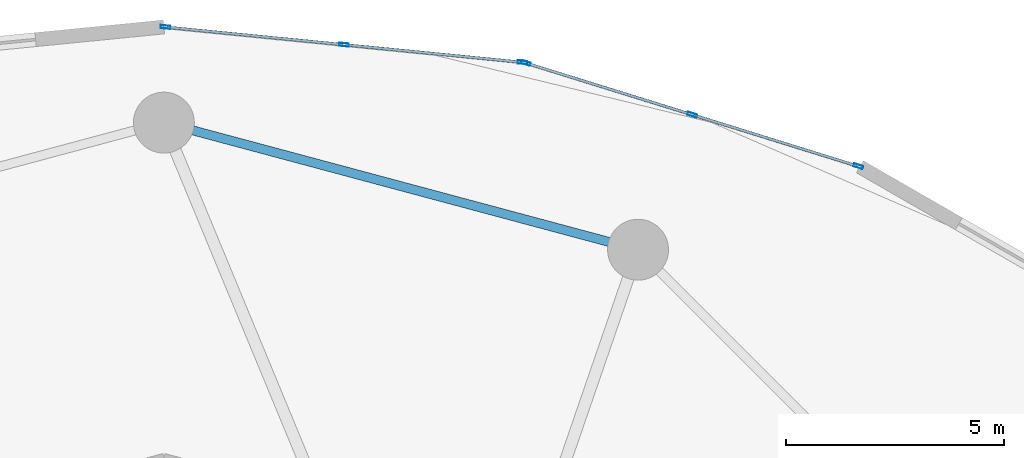
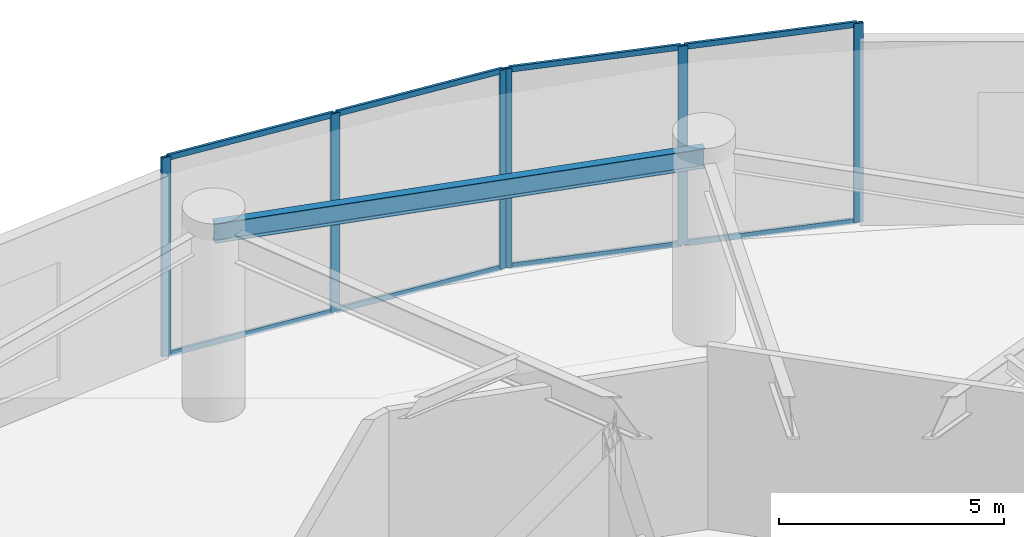
# One storey, part 18 of 29: 14 members, 1 beam, 2 elements without a shape of their own.
"""IFC4 building model written with IfcOpenShell, lengths in metres."""

from ifc_helpers import new_model, si_unit, direction, frame, origin, origin_2d, place, context, subcontext, project, spatial, hollow_rectangle, i_section, extrude, source, transform, mapped, material, layer, layer_set, material_profile, profile_set, type_object, element, aggregate, save


model = new_model("IFC4")

# Units and contexts
model_context = context("Model", 3, precision=1e-05, world=origin(), true_north=direction((0.0, 1.0)))
body_context = subcontext(model_context, "Body", "Model", "MODEL_VIEW")
ifc_project = project(units=[si_unit("LENGTHUNIT", "METRE"), si_unit("AREAUNIT", "SQUARE_METRE"), si_unit("VOLUMEUNIT", "CUBIC_METRE"), si_unit("PLANEANGLEUNIT", "RADIAN"), si_unit("MASSUNIT", "GRAM", prefix="KILO")], contexts=[model_context])

# Site, building, storey
site_placement = place(None, origin())
site = spatial("IfcSite", under=ifc_project, at=site_placement, CompositionType="ELEMENT")
building_placement = place(site_placement, origin())
building = spatial("IfcBuilding", under=site, at=building_placement, Name="Solvirekh Grand Hotel", CompositionType="ELEMENT")
storey_placement = place(building_placement, frame((0.0, 0.0, 7.199951171875)))
storey = spatial("IfcBuildingStorey", under=building, at=storey_placement, Name="L01", CompositionType="ELEMENT", Elevation=7.199951171875)

# Beam
ifc_material_1 = material(Name="Steel S355", Category="steel")
ifc_material_profile_1 = material_profile(ifc_material_1, i_section(OverallWidth=0.208984375, OverallDepth=0.532958984375, WebThickness=0.010009765625, FlangeThickness=0.014892578125, FilletRadius=0.013916015625, at=origin_2d()), Name="W530X92")
ifc_profile_set_1 = profile_set([ifc_material_profile_1], Name="Steel S355")
beam_type = type_object("IfcBeamType", Name="Spandrel_Ring_W530", PredefinedType="SPANDREL", material=ifc_profile_set_1)
beam_placement = place(storey_placement, frame((10.89990234375, 18.87890625, 4.713134765625), z_axis=(-0.965914248703, 0.258862249378, 0.0), x_axis=(-0.258862249378, -0.965914248703, 0.0)))
element("IfcBeam", 1, at=beam_placement, inside=storey, type_object=beam_type, Name="L01 perimeter spandrel beam 3", PredefinedType="SPANDREL", context=body_context, shape_type="SweptSolid", body=[
    extrude(i_section(OverallWidth=0.208984375, OverallDepth=0.532958984375, WebThickness=0.010009765625, FlangeThickness=0.014892578125, FilletRadius=0.013916015625, at=origin_2d()), origin(), (0.0, 0.0, 1.0), 11.284423828125),
])

# Curtain wall, members
ifc_material_2 = material(Name="Anodized Bronze Aluminium 6063-T6", Category="aluminium")
ifc_layer = layer(ifc_material_2, 0.219970703125)
ifc_layer_set = layer_set([ifc_layer], Name="Anodized Bronze Aluminium 6063-T6")
curtain_wall_type = type_object("IfcCurtainWallType", Name="CW_Sys1_PodiumBronzeUnitised", PredefinedType="NOTDEFINED", material=ifc_layer_set)
curtain_wall_1_placement = place(storey_placement, origin())
curtain_wall_1 = element("IfcCurtainWall", 2, at=curtain_wall_1_placement, inside=storey, type_object=curtain_wall_type, Name="L01 unitised bronze-glass curtain wall CW-L01-C05", PredefinedType="NOTDEFINED")
ifc_material_profile_2 = material_profile(ifc_material_2, hollow_rectangle(XDim=0.074951171875, YDim=0.219970703125, WallThickness=0.006103515625, at=origin_2d()), Name="ALU RHS 220X75X6")
ifc_profile_set_2 = profile_set([ifc_material_profile_2], Name="Anodized Bronze Aluminium 6063-T6")
member_type_1 = type_object("IfcMemberType", Name="CWMullion_Sys1", PredefinedType="MULLION", material=ifc_profile_set_2)
shared_shape_1 = source(origin(), body_context, "Body", "SweptSolid", [
    extrude(hollow_rectangle(XDim=0.074951171875, YDim=0.219970703125, WallThickness=0.006103515625, at=origin_2d()), origin(), (0.0, 0.0, 1.0), 5.400146484375),
])
member_1_placement = place(storey_placement, frame((15.964111328125, 20.796142578125, 0.0), z_axis=(0.0, 0.0, 1.0), x_axis=(-0.296597697719, -0.955002516074, 0.0)))
member_1 = element("IfcMember", 3, at=member_1_placement, type_object=member_type_1, Name="U01 mullion 1", PredefinedType="MULLION", context=body_context, shape_type="MappedRepresentation", body=[
    mapped(shared_shape_1, transform((0.0, 0.0, 0.0), x_axis=(1.0, 0.0, 0.0), y_axis=(0.0, 1.0, 0.0), z_axis=(0.0, 0.0, 1.0), scale=1.0)),
])
member_2_placement = place(storey_placement, frame((12.14111328125, 21.9833984375, 0.0), z_axis=(0.0, 0.0, 1.0), x_axis=(-0.296597697719, -0.955002516074, 0.0)))
member_2 = element("IfcMember", 4, at=member_2_placement, type_object=member_type_1, Name="U01 mullion 2", PredefinedType="MULLION", context=body_context, shape_type="MappedRepresentation", body=[
    mapped(shared_shape_1, transform((0.0, 0.0, 0.0), x_axis=(1.0, 0.0, 0.0), y_axis=(0.0, 1.0, 0.0), z_axis=(0.0, 0.0, 1.0), scale=1.0)),
])
member_3_placement = place(storey_placement, frame((8.31787109375, 23.1708984375, 0.0), z_axis=(0.0, 0.0, 1.0), x_axis=(-0.296597697719, -0.955002516074, 0.0)))
member_3 = element("IfcMember", 5, at=member_3_placement, type_object=member_type_1, Name="U01 mullion 3", PredefinedType="MULLION", context=body_context, shape_type="MappedRepresentation", body=[
    mapped(shared_shape_1, transform((0.0, 0.0, 0.0), x_axis=(1.0, 0.0, 0.0), y_axis=(0.0, 1.0, 0.0), z_axis=(0.0, 0.0, 1.0), scale=1.0)),
])

curtain_wall_2_placement = place(storey_placement, origin())
curtain_wall_2 = element("IfcCurtainWall", 6, at=curtain_wall_2_placement, inside=storey, type_object=curtain_wall_type, Name="L01 unitised bronze-glass curtain wall CW-L01-C06", PredefinedType="NOTDEFINED")
member_4_placement = place(storey_placement, frame((8.24462890625, 23.185791015625, 0.0), z_axis=(0.0, 0.0, 1.0), x_axis=(-0.098290156916, -0.995157799072, 0.0)))
member_4 = element("IfcMember", 7, at=member_4_placement, type_object=member_type_1, Name="U01 mullion 1", PredefinedType="MULLION", context=body_context, shape_type="MappedRepresentation", body=[
    mapped(shared_shape_1, transform((0.0, 0.0, 0.0), x_axis=(1.0, 0.0, 0.0), y_axis=(0.0, 1.0, 0.0), z_axis=(0.0, 0.0, 1.0), scale=1.0)),
])
member_5_placement = place(storey_placement, frame((4.14111328125, 23.591064453125, 0.0), z_axis=(0.0, 0.0, 1.0), x_axis=(-0.098290156916, -0.995157799072, 0.0)))
member_5 = element("IfcMember", 8, at=member_5_placement, type_object=member_type_1, Name="U01 mullion 2", PredefinedType="MULLION", context=body_context, shape_type="MappedRepresentation", body=[
    mapped(shared_shape_1, transform((0.0, 0.0, 0.0), x_axis=(1.0, 0.0, 0.0), y_axis=(0.0, 1.0, 0.0), z_axis=(0.0, 0.0, 1.0), scale=1.0)),
])
member_6_placement = place(storey_placement, frame((0.037353515625, 23.996337890625, 0.0), z_axis=(0.0, 0.0, 1.0), x_axis=(-0.098290156916, -0.995157799072, 0.0)))
member_6 = element("IfcMember", 9, at=member_6_placement, type_object=member_type_1, Name="U01 mullion 3", PredefinedType="MULLION", context=body_context, shape_type="MappedRepresentation", body=[
    mapped(shared_shape_1, transform((0.0, 0.0, 0.0), x_axis=(1.0, 0.0, 0.0), y_axis=(0.0, 1.0, 0.0), z_axis=(0.0, 0.0, 1.0), scale=1.0)),
])

# Member
ifc_material_profile_3 = material_profile(ifc_material_2, hollow_rectangle(XDim=0.06494140625, YDim=0.14990234375, WallThickness=0.0048828125, at=origin_2d()), Name="ALU RHS 150X65X5")
ifc_profile_set_3 = profile_set([ifc_material_profile_3], Name="Anodized Bronze Aluminium 6063-T6")
member_type_2 = type_object("IfcMemberType", Name="CWTransom_Sys1", PredefinedType="USERDEFINED", material=ifc_profile_set_3)
shared_shape_2 = source(origin(), body_context, "Body", "SweptSolid", [
    extrude(hollow_rectangle(XDim=0.06494140625, YDim=0.14990234375, WallThickness=0.0048828125, at=origin_2d()), origin(), (0.0, 0.0, 1.0), 3.928466796875),
])
member_7_placement = place(storey_placement, frame((15.928466796875, 20.80712890625, 0.032470703125), z_axis=(-0.954994955045, 0.296622042066, 0.0), x_axis=(-0.296622042066, -0.954994955045, 0.0)))
member_7 = element("IfcMember", 10, at=member_7_placement, type_object=member_type_2, Name="U01 transom 1.1", ObjectType="TRANSOM", PredefinedType="USERDEFINED", context=body_context, shape_type="MappedRepresentation", body=[
    mapped(shared_shape_2, transform((0.0, 0.0, 0.0), x_axis=(1.0, 0.0, 0.0), y_axis=(0.0, 1.0, 0.0), z_axis=(0.0, 0.0, 1.0), scale=1.0)),
])

member_8_placement = place(storey_placement, frame((15.928466796875, 20.80712890625, 5.367431640625), z_axis=(-0.954994955045, 0.296622042066, 0.0), x_axis=(-0.296622042066, -0.954994955045, 0.0)))
member_8 = element("IfcMember", 11, at=member_8_placement, type_object=member_type_2, Name="U01 transom 1.2", ObjectType="TRANSOM", PredefinedType="USERDEFINED", context=body_context, shape_type="MappedRepresentation", body=[
    mapped(shared_shape_2, transform((0.0, 0.0, 0.0), x_axis=(1.0, 0.0, 0.0), y_axis=(0.0, 1.0, 0.0), z_axis=(0.0, 0.0, 1.0), scale=1.0)),
])

member_9_placement = place(storey_placement, frame((12.105224609375, 21.99462890625, 0.032470703125), z_axis=(-0.955012557895, 0.296565362548, 0.0), x_axis=(-0.296565362548, -0.955012557895, 0.0)))
member_9 = element("IfcMember", 12, at=member_9_placement, type_object=member_type_2, Name="U01 transom 2.1", ObjectType="TRANSOM", PredefinedType="USERDEFINED", context=body_context, shape_type="MappedRepresentation", body=[
    mapped(shared_shape_2, transform((0.0, 0.0, 0.0), x_axis=(1.0, 0.0, 0.0), y_axis=(0.0, 1.0, 0.0), z_axis=(0.0, 0.0, 1.0), scale=1.0)),
])

member_10_placement = place(storey_placement, frame((12.105224609375, 21.99462890625, 5.367431640625), z_axis=(-0.955012557895, 0.296565362548, 0.0), x_axis=(-0.296565362548, -0.955012557895, 0.0)))
member_10 = element("IfcMember", 13, at=member_10_placement, type_object=member_type_2, Name="U01 transom 2.2", ObjectType="TRANSOM", PredefinedType="USERDEFINED", context=body_context, shape_type="MappedRepresentation", body=[
    mapped(shared_shape_2, transform((0.0, 0.0, 0.0), x_axis=(1.0, 0.0, 0.0), y_axis=(0.0, 1.0, 0.0), z_axis=(0.0, 0.0, 1.0), scale=1.0)),
])

aggregate(curtain_wall_1, [member_1, member_2, member_3, member_7, member_8, member_9, member_10])

shared_shape_3 = source(origin(), body_context, "Body", "SweptSolid", [
    extrude(hollow_rectangle(XDim=0.06494140625, YDim=0.14990234375, WallThickness=0.0048828125, at=origin_2d()), origin(), (0.0, 0.0, 1.0), 4.048583984375),
])
member_11_placement = place(storey_placement, frame((8.207275390625, 23.189453125, 0.032470703125), z_axis=(-0.995157652359, 0.098291642328, 0.0), x_axis=(-0.098291642328, -0.995157652359, 0.0)))
member_11 = element("IfcMember", 14, at=member_11_placement, type_object=member_type_2, Name="U01 transom 1.1", ObjectType="TRANSOM", PredefinedType="USERDEFINED", context=body_context, shape_type="MappedRepresentation", body=[
    mapped(shared_shape_3, transform((0.0, 0.0, 0.0), x_axis=(1.0, 0.0, 0.0), y_axis=(0.0, 1.0, 0.0), z_axis=(0.0, 0.0, 1.0), scale=1.0)),
])

member_12_placement = place(storey_placement, frame((8.207275390625, 23.189453125, 5.367431640625), z_axis=(-0.995157652359, 0.098291642328, 0.0), x_axis=(-0.098291642328, -0.995157652359, 0.0)))
member_12 = element("IfcMember", 15, at=member_12_placement, type_object=member_type_2, Name="U01 transom 1.2", ObjectType="TRANSOM", PredefinedType="USERDEFINED", context=body_context, shape_type="MappedRepresentation", body=[
    mapped(shared_shape_3, transform((0.0, 0.0, 0.0), x_axis=(1.0, 0.0, 0.0), y_axis=(0.0, 1.0, 0.0), z_axis=(0.0, 0.0, 1.0), scale=1.0)),
])

member_13_placement = place(storey_placement, frame((4.103759765625, 23.5947265625, 0.032470703125), z_axis=(-0.995157652359, 0.098291642328, 0.0), x_axis=(-0.098291642328, -0.995157652359, 0.0)))
member_13 = element("IfcMember", 16, at=member_13_placement, type_object=member_type_2, Name="U01 transom 2.1", ObjectType="TRANSOM", PredefinedType="USERDEFINED", context=body_context, shape_type="MappedRepresentation", body=[
    mapped(shared_shape_3, transform((0.0, 0.0, 0.0), x_axis=(1.0, 0.0, 0.0), y_axis=(0.0, 1.0, 0.0), z_axis=(0.0, 0.0, 1.0), scale=1.0)),
])

member_14_placement = place(storey_placement, frame((4.103759765625, 23.5947265625, 5.367431640625), z_axis=(-0.995157652359, 0.098291642328, 0.0), x_axis=(-0.098291642328, -0.995157652359, 0.0)))
member_14 = element("IfcMember", 17, at=member_14_placement, type_object=member_type_2, Name="U01 transom 2.2", ObjectType="TRANSOM", PredefinedType="USERDEFINED", context=body_context, shape_type="MappedRepresentation", body=[
    mapped(shared_shape_3, transform((0.0, 0.0, 0.0), x_axis=(1.0, 0.0, 0.0), y_axis=(0.0, 1.0, 0.0), z_axis=(0.0, 0.0, 1.0), scale=1.0)),
])

aggregate(curtain_wall_2, [member_4, member_5, member_6, member_11, member_12, member_13, member_14])

save(model, "model.ifc")
